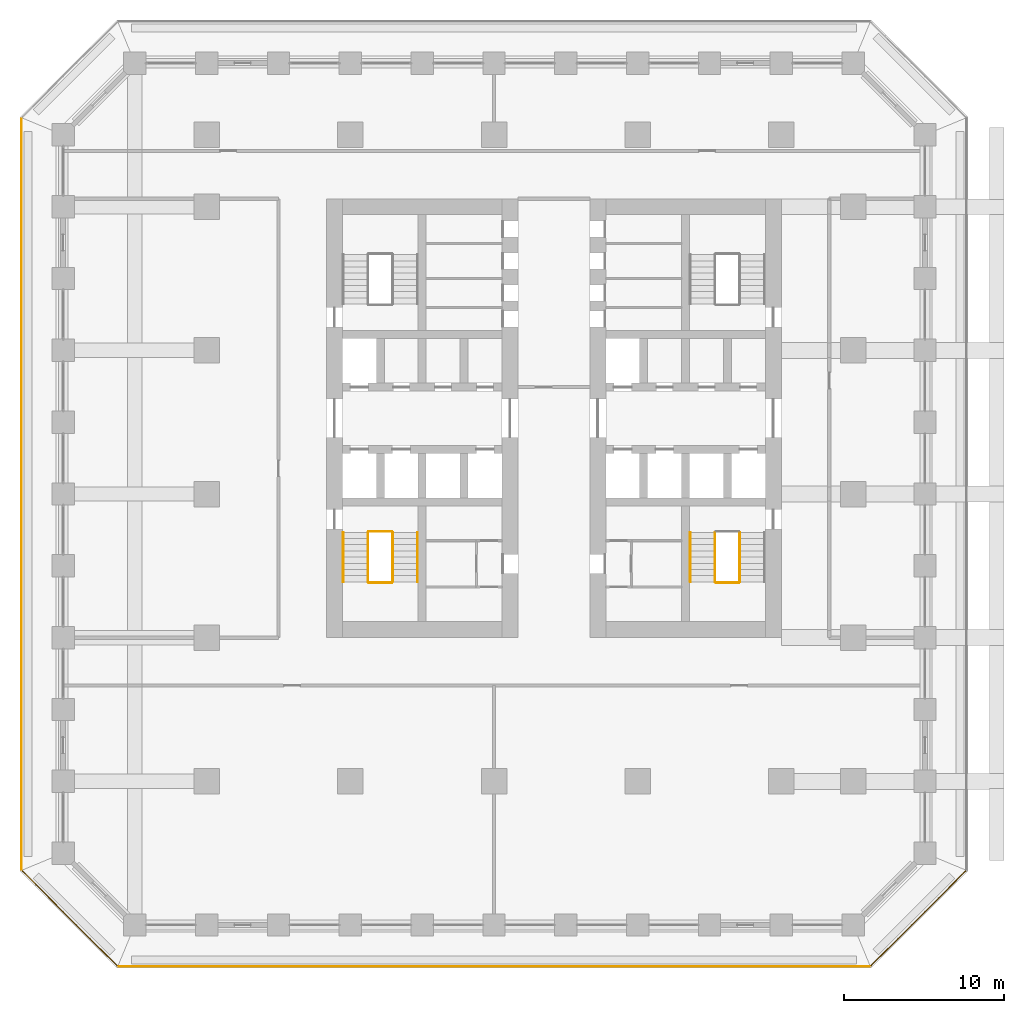
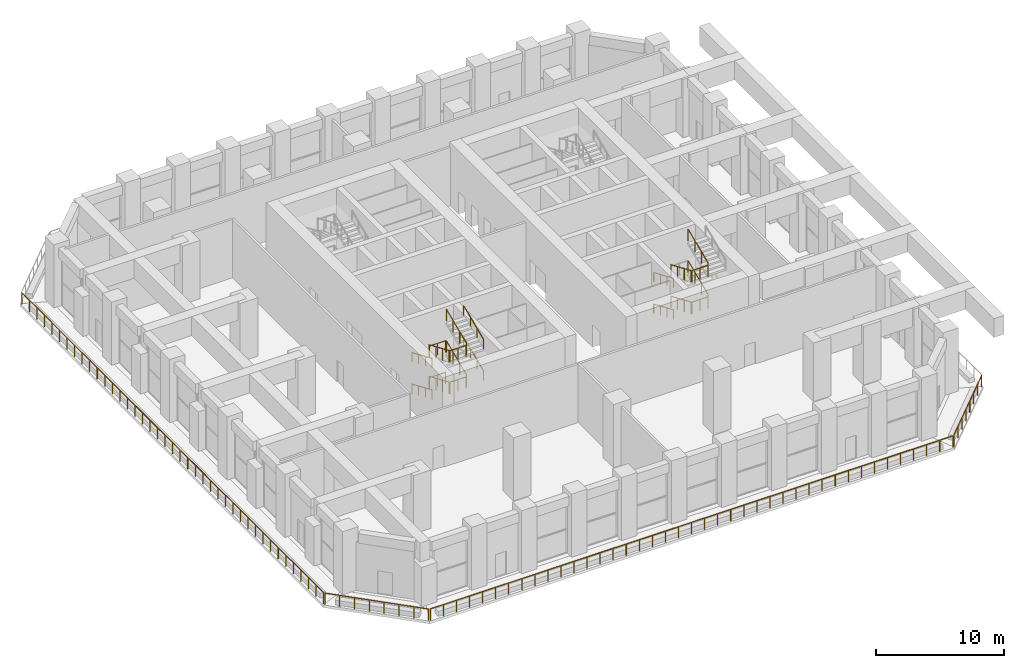
# One storey, part 18 of 21: 24 railings.
"""IFC4 building model written with IfcOpenShell, lengths in metres."""

from ifc_helpers import new_model, si_unit, direction, frame, origin, origin_2d, place, context, subcontext, project, spatial, circle, extrude, material, type_object, element, save


model = new_model("IFC4")

# Units and contexts
model_context = context("Model", 3, precision=1e-05, world=origin(), true_north=direction((0.0, 1.0)))
body_context = subcontext(model_context, "Body", "Model", "MODEL_VIEW")
ifc_project = project(units=[si_unit("LENGTHUNIT", "METRE"), si_unit("AREAUNIT", "SQUARE_METRE"), si_unit("VOLUMEUNIT", "CUBIC_METRE"), si_unit("PLANEANGLEUNIT", "RADIAN"), si_unit("MASSUNIT", "GRAM", prefix="KILO")], contexts=[model_context])

# Site, building, storey
site_placement = place(None, origin())
site = spatial("IfcSite", under=ifc_project, at=site_placement, CompositionType="ELEMENT")
building_placement = place(site_placement, origin())
building = spatial("IfcBuilding", under=site, at=building_placement, Name="Corbel Stack Research Tower", CompositionType="ELEMENT")
storey_placement = place(building_placement, frame((0.0, 0.0, 35.89990234375)))
storey = spatial("IfcBuildingStorey", under=building, at=storey_placement, Name="L08", CompositionType="ELEMENT", Elevation=35.89990234375)

# Railings
ifc_material_1 = material(Name="Steel S355", Category="steel")
railing_type_1 = type_object("IfcRailingType", Name="Stair guard 1100", PredefinedType="GUARDRAIL", material=ifc_material_1)
railing_1_placement = place(storey_placement, frame((-7.89990234375, -2.39990234375, 0.166748046875)))
element("IfcRailing", 1, at=railing_1_placement, inside=storey, type_object=railing_type_1, Name="L08 ST-W1 stair guard 1", PredefinedType="GUARDRAIL", context=body_context, shape_type="SweptSolid", body=[
    extrude(circle(Radius=0.02392578125, at=origin_2d()), frame((0.0, 0.0, 1.076171875), z_axis=(0.0, -0.918826996994, 0.394660549834), x_axis=(1.0, 0.0, 0.0)), (0.0, 0.0, 1.0), 3.378173828125),
    extrude(circle(Radius=0.02099609375, at=origin_2d()), origin(), (0.0, 0.0, 1.0), 1.052001953125),
    extrude(circle(Radius=0.02099609375, at=origin_2d()), frame((0.0, -1.03466796875, 0.4443359375)), (0.0, 0.0, 1.0), 1.052001953125),
    extrude(circle(Radius=0.02099609375, at=origin_2d()), frame((0.0, -2.0693359375, 0.888916015625)), (0.0, 0.0, 1.0), 1.052001953125),
    extrude(circle(Radius=0.02099609375, at=origin_2d()), frame((0.0, -3.10400390625, 1.333251953125)), (0.0, 0.0, 1.0), 1.052001953125),
])
railing_2_placement = place(storey_placement, frame((-7.85009765625, -5.553955078125, 1.5)))
element("IfcRailing", 2, at=railing_2_placement, inside=storey, type_object=railing_type_1, Name="L08 ST-W1 stair guard 2", PredefinedType="GUARDRAIL", context=body_context, shape_type="SweptSolid", body=[
    extrude(circle(Radius=0.02392578125, at=origin_2d()), frame((0.0, 0.0, 1.076171875), z_axis=(1.0, 0.0, 0.0), x_axis=(0.0, 1.0, 0.0)), (0.0, 0.0, 1.0), 1.4501953125),
    extrude(circle(Radius=0.02099609375, at=origin_2d()), origin(), (0.0, 0.0, 1.0), 1.052001953125),
    extrude(circle(Radius=0.02099609375, at=origin_2d()), frame((0.72509765625, 0.0, 0.0)), (0.0, 0.0, 1.0), 1.052001953125),
    extrude(circle(Radius=0.02099609375, at=origin_2d()), frame((1.4501953125, 0.0, 0.0)), (0.0, 0.0, 1.0), 1.052001953125),
])
railing_3_placement = place(storey_placement, frame((-6.35009765625, -5.50390625, 1.666748046875)))
element("IfcRailing", 3, at=railing_3_placement, inside=storey, type_object=railing_type_1, Name="L08 ST-W1 stair guard 3", PredefinedType="GUARDRAIL", context=body_context, shape_type="SweptSolid", body=[
    extrude(circle(Radius=0.02392578125, at=origin_2d()), frame((0.0, 0.0, 1.076171875), z_axis=(0.0, 0.918826996994, 0.394660549834), x_axis=(-1.0, 0.0, 0.0)), (0.0, 0.0, 1.0), 3.378173828125),
    extrude(circle(Radius=0.02099609375, at=origin_2d()), origin(), (0.0, 0.0, 1.0), 1.052001953125),
    extrude(circle(Radius=0.02099609375, at=origin_2d()), frame((0.0, 1.03466796875, 0.4443359375)), (0.0, 0.0, 1.0), 1.052001953125),
    extrude(circle(Radius=0.02099609375, at=origin_2d()), frame((0.0, 2.0693359375, 0.888916015625)), (0.0, 0.0, 1.0), 1.052001953125),
    extrude(circle(Radius=0.02099609375, at=origin_2d()), frame((0.0, 3.10400390625, 1.333251953125)), (0.0, 0.0, 1.0), 1.052001953125),
])
railing_4_placement = place(storey_placement, frame((-7.85009765625, -2.35009765625, 3.0)))
element("IfcRailing", 4, at=railing_4_placement, inside=storey, type_object=railing_type_1, Name="L08 ST-W1 stair guard 4", PredefinedType="GUARDRAIL", context=body_context, shape_type="SweptSolid", body=[
    extrude(circle(Radius=0.02392578125, at=origin_2d()), frame((0.0, 0.0, 1.076171875), z_axis=(1.0, 0.0, 0.0), x_axis=(0.0, 1.0, 0.0)), (0.0, 0.0, 1.0), 1.4501953125),
    extrude(circle(Radius=0.02099609375, at=origin_2d()), origin(), (0.0, 0.0, 1.0), 1.052001953125),
    extrude(circle(Radius=0.02099609375, at=origin_2d()), frame((0.72509765625, 0.0, 0.0)), (0.0, 0.0, 1.0), 1.052001953125),
    extrude(circle(Radius=0.02099609375, at=origin_2d()), frame((1.4501953125, 0.0, 0.0)), (0.0, 0.0, 1.0), 1.052001953125),
])
railing_5_placement = place(storey_placement, frame((-7.89990234375, -2.39990234375, 3.166748046875)))
element("IfcRailing", 5, at=railing_5_placement, inside=storey, type_object=railing_type_1, Name="L08 ST-W1 stair guard 5", PredefinedType="GUARDRAIL", context=body_context, shape_type="SweptSolid", body=[
    extrude(circle(Radius=0.02392578125, at=origin_2d()), frame((0.0, 0.0, 1.076171875), z_axis=(0.0, -0.918826996994, 0.394660549834), x_axis=(1.0, 0.0, 0.0)), (0.0, 0.0, 1.0), 3.378173828125),
    extrude(circle(Radius=0.02099609375, at=origin_2d()), origin(), (0.0, 0.0, 1.0), 1.052001953125),
    extrude(circle(Radius=0.02099609375, at=origin_2d()), frame((0.0, -1.03466796875, 0.4443359375)), (0.0, 0.0, 1.0), 1.052001953125),
    extrude(circle(Radius=0.02099609375, at=origin_2d()), frame((0.0, -2.0693359375, 0.888916015625)), (0.0, 0.0, 1.0), 1.052001953125),
    extrude(circle(Radius=0.02099609375, at=origin_2d()), frame((0.0, -3.10400390625, 1.333251953125)), (0.0, 0.0, 1.0), 1.052001953125),
])
railing_6_placement = place(storey_placement, frame((-7.85009765625, -5.553955078125, 4.5)))
element("IfcRailing", 6, at=railing_6_placement, inside=storey, type_object=railing_type_1, Name="L08 ST-W1 stair guard 6", PredefinedType="GUARDRAIL", context=body_context, shape_type="SweptSolid", body=[
    extrude(circle(Radius=0.02392578125, at=origin_2d()), frame((0.0, 0.0, 1.076171875), z_axis=(1.0, 0.0, 0.0), x_axis=(0.0, 1.0, 0.0)), (0.0, 0.0, 1.0), 1.4501953125),
    extrude(circle(Radius=0.02099609375, at=origin_2d()), origin(), (0.0, 0.0, 1.0), 1.052001953125),
    extrude(circle(Radius=0.02099609375, at=origin_2d()), frame((0.72509765625, 0.0, 0.0)), (0.0, 0.0, 1.0), 1.052001953125),
    extrude(circle(Radius=0.02099609375, at=origin_2d()), frame((1.4501953125, 0.0, 0.0)), (0.0, 0.0, 1.0), 1.052001953125),
])
railing_7_placement = place(storey_placement, frame((-6.35009765625, -5.50390625, 4.666748046875)))
element("IfcRailing", 7, at=railing_7_placement, inside=storey, type_object=railing_type_1, Name="L08 ST-W1 stair guard 7", PredefinedType="GUARDRAIL", context=body_context, shape_type="SweptSolid", body=[
    extrude(circle(Radius=0.02392578125, at=origin_2d()), frame((0.0, 0.0, 1.076171875), z_axis=(0.0, 0.918826996994, 0.394660549834), x_axis=(-1.0, 0.0, 0.0)), (0.0, 0.0, 1.0), 3.378173828125),
    extrude(circle(Radius=0.02099609375, at=origin_2d()), origin(), (0.0, 0.0, 1.0), 1.052001953125),
    extrude(circle(Radius=0.02099609375, at=origin_2d()), frame((0.0, 1.03466796875, 0.4443359375)), (0.0, 0.0, 1.0), 1.052001953125),
    extrude(circle(Radius=0.02099609375, at=origin_2d()), frame((0.0, 2.0693359375, 0.888916015625)), (0.0, 0.0, 1.0), 1.052001953125),
    extrude(circle(Radius=0.02099609375, at=origin_2d()), frame((0.0, 3.10400390625, 1.333251953125)), (0.0, 0.0, 1.0), 1.052001953125),
])
railing_8_placement = place(storey_placement, frame((-7.85009765625, -2.35009765625, 0.0)))
element("IfcRailing", 8, at=railing_8_placement, inside=storey, type_object=railing_type_1, Name="L08 ST-W1 stair guard 8", PredefinedType="GUARDRAIL", context=body_context, shape_type="SweptSolid", body=[
    extrude(circle(Radius=0.02392578125, at=origin_2d()), frame((0.0, 0.0, 1.076171875), z_axis=(1.0, 0.0, 0.0), x_axis=(0.0, 1.0, 0.0)), (0.0, 0.0, 1.0), 1.4501953125),
    extrude(circle(Radius=0.02099609375, at=origin_2d()), origin(), (0.0, 0.0, 1.0), 1.052001953125),
    extrude(circle(Radius=0.02099609375, at=origin_2d()), frame((0.72509765625, 0.0, 0.0)), (0.0, 0.0, 1.0), 1.052001953125),
    extrude(circle(Radius=0.02099609375, at=origin_2d()), frame((1.4501953125, 0.0, 0.0)), (0.0, 0.0, 1.0), 1.052001953125),
])
railing_9_placement = place(storey_placement, frame((13.85009765625, -2.39990234375, 0.166748046875)))
element("IfcRailing", 9, at=railing_9_placement, inside=storey, type_object=railing_type_1, Name="L08 ST-E1 stair guard 1", PredefinedType="GUARDRAIL", context=body_context, shape_type="SweptSolid", body=[
    extrude(circle(Radius=0.02392578125, at=origin_2d()), frame((0.0, 0.0, 1.076171875), z_axis=(0.0, -0.918826996994, 0.394660549834), x_axis=(1.0, 0.0, 0.0)), (0.0, 0.0, 1.0), 3.378173828125),
    extrude(circle(Radius=0.02099609375, at=origin_2d()), origin(), (0.0, 0.0, 1.0), 1.052001953125),
    extrude(circle(Radius=0.02099609375, at=origin_2d()), frame((0.0, -1.03466796875, 0.4443359375)), (0.0, 0.0, 1.0), 1.052001953125),
    extrude(circle(Radius=0.02099609375, at=origin_2d()), frame((0.0, -2.0693359375, 0.888916015625)), (0.0, 0.0, 1.0), 1.052001953125),
    extrude(circle(Radius=0.02099609375, at=origin_2d()), frame((0.0, -3.10400390625, 1.333251953125)), (0.0, 0.0, 1.0), 1.052001953125),
])
railing_10_placement = place(storey_placement, frame((13.89990234375, -5.553955078125, 1.5)))
element("IfcRailing", 10, at=railing_10_placement, inside=storey, type_object=railing_type_1, Name="L08 ST-E1 stair guard 2", PredefinedType="GUARDRAIL", context=body_context, shape_type="SweptSolid", body=[
    extrude(circle(Radius=0.02392578125, at=origin_2d()), frame((0.0, 0.0, 1.076171875), z_axis=(1.0, 0.0, 0.0), x_axis=(0.0, 1.0, 0.0)), (0.0, 0.0, 1.0), 1.4501953125),
    extrude(circle(Radius=0.02099609375, at=origin_2d()), origin(), (0.0, 0.0, 1.0), 1.052001953125),
    extrude(circle(Radius=0.02099609375, at=origin_2d()), frame((0.72509765625, 0.0, 0.0)), (0.0, 0.0, 1.0), 1.052001953125),
    extrude(circle(Radius=0.02099609375, at=origin_2d()), frame((1.4501953125, 0.0, 0.0)), (0.0, 0.0, 1.0), 1.052001953125),
])
railing_11_placement = place(storey_placement, frame((15.39990234375, -5.50390625, 1.666748046875)))
element("IfcRailing", 11, at=railing_11_placement, inside=storey, type_object=railing_type_1, Name="L08 ST-E1 stair guard 3", PredefinedType="GUARDRAIL", context=body_context, shape_type="SweptSolid", body=[
    extrude(circle(Radius=0.02392578125, at=origin_2d()), frame((0.0, 0.0, 1.076171875), z_axis=(0.0, 0.918826996994, 0.394660549834), x_axis=(-1.0, 0.0, 0.0)), (0.0, 0.0, 1.0), 3.378173828125),
    extrude(circle(Radius=0.02099609375, at=origin_2d()), origin(), (0.0, 0.0, 1.0), 1.052001953125),
    extrude(circle(Radius=0.02099609375, at=origin_2d()), frame((0.0, 1.03466796875, 0.4443359375)), (0.0, 0.0, 1.0), 1.052001953125),
    extrude(circle(Radius=0.02099609375, at=origin_2d()), frame((0.0, 2.0693359375, 0.888916015625)), (0.0, 0.0, 1.0), 1.052001953125),
    extrude(circle(Radius=0.02099609375, at=origin_2d()), frame((0.0, 3.10400390625, 1.333251953125)), (0.0, 0.0, 1.0), 1.052001953125),
])
railing_12_placement = place(storey_placement, frame((13.85009765625, -2.39990234375, 3.166748046875)))
element("IfcRailing", 12, at=railing_12_placement, inside=storey, type_object=railing_type_1, Name="L08 ST-E1 stair guard 5", PredefinedType="GUARDRAIL", context=body_context, shape_type="SweptSolid", body=[
    extrude(circle(Radius=0.02392578125, at=origin_2d()), frame((0.0, 0.0, 1.076171875), z_axis=(0.0, -0.918826996994, 0.394660549834), x_axis=(1.0, 0.0, 0.0)), (0.0, 0.0, 1.0), 3.378173828125),
    extrude(circle(Radius=0.02099609375, at=origin_2d()), origin(), (0.0, 0.0, 1.0), 1.052001953125),
    extrude(circle(Radius=0.02099609375, at=origin_2d()), frame((0.0, -1.03466796875, 0.4443359375)), (0.0, 0.0, 1.0), 1.052001953125),
    extrude(circle(Radius=0.02099609375, at=origin_2d()), frame((0.0, -2.0693359375, 0.888916015625)), (0.0, 0.0, 1.0), 1.052001953125),
    extrude(circle(Radius=0.02099609375, at=origin_2d()), frame((0.0, -3.10400390625, 1.333251953125)), (0.0, 0.0, 1.0), 1.052001953125),
])
railing_13_placement = place(storey_placement, frame((13.89990234375, -5.553955078125, 4.5)))
element("IfcRailing", 13, at=railing_13_placement, inside=storey, type_object=railing_type_1, Name="L08 ST-E1 stair guard 6", PredefinedType="GUARDRAIL", context=body_context, shape_type="SweptSolid", body=[
    extrude(circle(Radius=0.02392578125, at=origin_2d()), frame((0.0, 0.0, 1.076171875), z_axis=(1.0, 0.0, 0.0), x_axis=(0.0, 1.0, 0.0)), (0.0, 0.0, 1.0), 1.4501953125),
    extrude(circle(Radius=0.02099609375, at=origin_2d()), origin(), (0.0, 0.0, 1.0), 1.052001953125),
    extrude(circle(Radius=0.02099609375, at=origin_2d()), frame((0.72509765625, 0.0, 0.0)), (0.0, 0.0, 1.0), 1.052001953125),
    extrude(circle(Radius=0.02099609375, at=origin_2d()), frame((1.4501953125, 0.0, 0.0)), (0.0, 0.0, 1.0), 1.052001953125),
])
railing_14_placement = place(storey_placement, frame((15.39990234375, -5.50390625, 4.666748046875)))
element("IfcRailing", 14, at=railing_14_placement, inside=storey, type_object=railing_type_1, Name="L08 ST-E1 stair guard 7", PredefinedType="GUARDRAIL", context=body_context, shape_type="SweptSolid", body=[
    extrude(circle(Radius=0.02392578125, at=origin_2d()), frame((0.0, 0.0, 1.076171875), z_axis=(0.0, 0.918826996994, 0.394660549834), x_axis=(-1.0, 0.0, 0.0)), (0.0, 0.0, 1.0), 3.378173828125),
    extrude(circle(Radius=0.02099609375, at=origin_2d()), origin(), (0.0, 0.0, 1.0), 1.052001953125),
    extrude(circle(Radius=0.02099609375, at=origin_2d()), frame((0.0, 1.03466796875, 0.4443359375)), (0.0, 0.0, 1.0), 1.052001953125),
    extrude(circle(Radius=0.02099609375, at=origin_2d()), frame((0.0, 2.0693359375, 0.888916015625)), (0.0, 0.0, 1.0), 1.052001953125),
    extrude(circle(Radius=0.02099609375, at=origin_2d()), frame((0.0, 3.10400390625, 1.333251953125)), (0.0, 0.0, 1.0), 1.052001953125),
])
ifc_material_2 = material(Name="Steel S355", Category="steel")
railing_type_2 = type_object("IfcRailingType", Name="Stair handrail 900", PredefinedType="HANDRAIL", material=ifc_material_2)
railing_15_placement = place(storey_placement, frame((-9.449951171875, -2.39990234375, 0.166748046875)))
element("IfcRailing", 15, at=railing_15_placement, inside=storey, type_object=railing_type_2, Name="L08 ST-W1 stair handrail 1", PredefinedType="HANDRAIL", context=body_context, shape_type="SweptSolid", body=[
    extrude(circle(Radius=0.02392578125, at=origin_2d()), frame((0.0, 0.0, 0.8759765625), z_axis=(0.0, -0.918826996994, 0.394660549834), x_axis=(1.0, 0.0, 0.0)), (0.0, 0.0, 1.0), 3.378173828125),
    extrude(circle(Radius=0.02099609375, at=origin_2d()), origin(), (0.0, 0.0, 1.0), 0.851806640625),
    extrude(circle(Radius=0.02099609375, at=origin_2d()), frame((0.0, -1.03466796875, 0.4443359375)), (0.0, 0.0, 1.0), 0.851806640625),
    extrude(circle(Radius=0.02099609375, at=origin_2d()), frame((0.0, -2.0693359375, 0.888916015625)), (0.0, 0.0, 1.0), 0.851806640625),
    extrude(circle(Radius=0.02099609375, at=origin_2d()), frame((0.0, -3.10400390625, 1.333251953125)), (0.0, 0.0, 1.0), 0.851806640625),
])
railing_16_placement = place(storey_placement, frame((-4.800048828125, -5.50390625, 1.666748046875)))
element("IfcRailing", 16, at=railing_16_placement, inside=storey, type_object=railing_type_2, Name="L08 ST-W1 stair handrail 2", PredefinedType="HANDRAIL", context=body_context, shape_type="SweptSolid", body=[
    extrude(circle(Radius=0.02392578125, at=origin_2d()), frame((0.0, 0.0, 0.8759765625), z_axis=(0.0, 0.918826996994, 0.394660549834), x_axis=(-1.0, 0.0, 0.0)), (0.0, 0.0, 1.0), 3.378173828125),
    extrude(circle(Radius=0.02099609375, at=origin_2d()), origin(), (0.0, 0.0, 1.0), 0.851806640625),
    extrude(circle(Radius=0.02099609375, at=origin_2d()), frame((0.0, 1.03466796875, 0.4443359375)), (0.0, 0.0, 1.0), 0.851806640625),
    extrude(circle(Radius=0.02099609375, at=origin_2d()), frame((0.0, 2.0693359375, 0.888916015625)), (0.0, 0.0, 1.0), 0.851806640625),
    extrude(circle(Radius=0.02099609375, at=origin_2d()), frame((0.0, 3.10400390625, 1.333251953125)), (0.0, 0.0, 1.0), 0.851806640625),
])
railing_17_placement = place(storey_placement, frame((-9.449951171875, -2.39990234375, 3.166748046875)))
element("IfcRailing", 17, at=railing_17_placement, inside=storey, type_object=railing_type_2, Name="L08 ST-W1 stair handrail 3", PredefinedType="HANDRAIL", context=body_context, shape_type="SweptSolid", body=[
    extrude(circle(Radius=0.02392578125, at=origin_2d()), frame((0.0, 0.0, 0.8759765625), z_axis=(0.0, -0.918826996994, 0.394660549834), x_axis=(1.0, 0.0, 0.0)), (0.0, 0.0, 1.0), 3.378173828125),
    extrude(circle(Radius=0.02099609375, at=origin_2d()), origin(), (0.0, 0.0, 1.0), 0.851806640625),
    extrude(circle(Radius=0.02099609375, at=origin_2d()), frame((0.0, -1.03466796875, 0.4443359375)), (0.0, 0.0, 1.0), 0.851806640625),
    extrude(circle(Radius=0.02099609375, at=origin_2d()), frame((0.0, -2.0693359375, 0.888916015625)), (0.0, 0.0, 1.0), 0.851806640625),
    extrude(circle(Radius=0.02099609375, at=origin_2d()), frame((0.0, -3.10400390625, 1.333251953125)), (0.0, 0.0, 1.0), 0.851806640625),
])
railing_18_placement = place(storey_placement, frame((-4.800048828125, -5.50390625, 4.666748046875)))
element("IfcRailing", 18, at=railing_18_placement, inside=storey, type_object=railing_type_2, Name="L08 ST-W1 stair handrail 4", PredefinedType="HANDRAIL", context=body_context, shape_type="SweptSolid", body=[
    extrude(circle(Radius=0.02392578125, at=origin_2d()), frame((0.0, 0.0, 0.8759765625), z_axis=(0.0, 0.918826996994, 0.394660549834), x_axis=(-1.0, 0.0, 0.0)), (0.0, 0.0, 1.0), 3.378173828125),
    extrude(circle(Radius=0.02099609375, at=origin_2d()), origin(), (0.0, 0.0, 1.0), 0.851806640625),
    extrude(circle(Radius=0.02099609375, at=origin_2d()), frame((0.0, 1.03466796875, 0.4443359375)), (0.0, 0.0, 1.0), 0.851806640625),
    extrude(circle(Radius=0.02099609375, at=origin_2d()), frame((0.0, 2.0693359375, 0.888916015625)), (0.0, 0.0, 1.0), 0.851806640625),
    extrude(circle(Radius=0.02099609375, at=origin_2d()), frame((0.0, 3.10400390625, 1.333251953125)), (0.0, 0.0, 1.0), 0.851806640625),
])
for number, where, name in (
    (19, (12.300048828125, -2.39990234375, 0.166748046875), "L08 ST-E1 stair handrail 1"),
    (20, (12.300048828125, -2.39990234375, 3.166748046875), "L08 ST-E1 stair handrail 3"),
):
    element("IfcRailing", number, at=place(storey_placement, frame(where)), inside=storey, type_object=railing_type_2, Name=name, PredefinedType="HANDRAIL", context=body_context, shape_type="SweptSolid", body=[
        extrude(circle(Radius=0.02392578125, at=origin_2d()), frame((0.0, 0.0, 0.8759765625), z_axis=(0.0, -0.918826996994, 0.394660549834), x_axis=(1.0, 0.0, 0.0)), (0.0, 0.0, 1.0), 3.378173828125),
        extrude(circle(Radius=0.02099609375, at=origin_2d()), origin(), (0.0, 0.0, 1.0), 0.851806640625),
        extrude(circle(Radius=0.02099609375, at=origin_2d()), frame((0.0, -1.03466796875, 0.4443359375)), (0.0, 0.0, 1.0), 0.851806640625),
        extrude(circle(Radius=0.02099609375, at=origin_2d()), frame((0.0, -2.0693359375, 0.888916015625)), (0.0, 0.0, 1.0), 0.851806640625),
        extrude(circle(Radius=0.02099609375, at=origin_2d()), frame((0.0, -3.10400390625, 1.333251953125)), (0.0, 0.0, 1.0), 0.851806640625),
    ])
ifc_material_3 = material(Name="Powder-coated steel guard", Category="steel")
railing_type_3 = type_object("IfcRailingType", Name="Steel and glass guard 1100", PredefinedType="GUARDRAIL", material=ifc_material_3)
railing_19_placement = place(storey_placement, frame((-23.50537109375, -29.60009765625, 0.0)))
element("IfcRailing", 21, at=railing_19_placement, inside=storey, type_object=railing_type_3, Name="Loggia guard L08 S", PredefinedType="GUARDRAIL", context=body_context, shape_type="SweptSolid", body=[
    extrude(circle(Radius=0.02392578125, at=origin_2d()), frame((0.0, 0.0, 1.076171875), z_axis=(1.0, 0.0, 0.0), x_axis=(0.0, 1.0, 0.0)), (0.0, 0.0, 1.0), 47.0107421875),
    extrude(circle(Radius=0.02099609375, at=origin_2d()), origin(), (0.0, 0.0, 1.0), 1.052001953125),
    extrude(circle(Radius=0.02099609375, at=origin_2d()), frame((1.17529296875, 0.0, 0.0)), (0.0, 0.0, 1.0), 1.052001953125),
    extrude(circle(Radius=0.02099609375, at=origin_2d()), frame((2.3505859375, 0.0, 0.0)), (0.0, 0.0, 1.0), 1.052001953125),
    extrude(circle(Radius=0.02099609375, at=origin_2d()), frame((3.52587890625, 0.0, 0.0)), (0.0, 0.0, 1.0), 1.052001953125),
    extrude(circle(Radius=0.02099609375, at=origin_2d()), frame((4.701171875, 0.0, 0.0)), (0.0, 0.0, 1.0), 1.052001953125),
    extrude(circle(Radius=0.02099609375, at=origin_2d()), frame((5.87646484375, 0.0, 0.0)), (0.0, 0.0, 1.0), 1.052001953125),
    extrude(circle(Radius=0.02099609375, at=origin_2d()), frame((7.051513671875, 0.0, 0.0)), (0.0, 0.0, 1.0), 1.052001953125),
    extrude(circle(Radius=0.02099609375, at=origin_2d()), frame((8.226806640625, 0.0, 0.0)), (0.0, 0.0, 1.0), 1.052001953125),
    extrude(circle(Radius=0.02099609375, at=origin_2d()), frame((9.402099609375, 0.0, 0.0)), (0.0, 0.0, 1.0), 1.052001953125),
    extrude(circle(Radius=0.02099609375, at=origin_2d()), frame((10.577392578125, 0.0, 0.0)), (0.0, 0.0, 1.0), 1.052001953125),
    extrude(circle(Radius=0.02099609375, at=origin_2d()), frame((11.752685546875, 0.0, 0.0)), (0.0, 0.0, 1.0), 1.052001953125),
    extrude(circle(Radius=0.02099609375, at=origin_2d()), frame((12.927978515625, 0.0, 0.0)), (0.0, 0.0, 1.0), 1.052001953125),
    extrude(circle(Radius=0.02099609375, at=origin_2d()), frame((14.103271484375, 0.0, 0.0)), (0.0, 0.0, 1.0), 1.052001953125),
    extrude(circle(Radius=0.02099609375, at=origin_2d()), frame((15.278564453125, 0.0, 0.0)), (0.0, 0.0, 1.0), 1.052001953125),
    extrude(circle(Radius=0.02099609375, at=origin_2d()), frame((16.453857421875, 0.0, 0.0)), (0.0, 0.0, 1.0), 1.052001953125),
    extrude(circle(Radius=0.02099609375, at=origin_2d()), frame((17.62890625, 0.0, 0.0)), (0.0, 0.0, 1.0), 1.052001953125),
    extrude(circle(Radius=0.02099609375, at=origin_2d()), frame((18.80419921875, 0.0, 0.0)), (0.0, 0.0, 1.0), 1.052001953125),
    extrude(circle(Radius=0.02099609375, at=origin_2d()), frame((19.9794921875, 0.0, 0.0)), (0.0, 0.0, 1.0), 1.052001953125),
    extrude(circle(Radius=0.02099609375, at=origin_2d()), frame((21.15478515625, 0.0, 0.0)), (0.0, 0.0, 1.0), 1.052001953125),
    extrude(circle(Radius=0.02099609375, at=origin_2d()), frame((22.330078125, 0.0, 0.0)), (0.0, 0.0, 1.0), 1.052001953125),
    extrude(circle(Radius=0.02099609375, at=origin_2d()), frame((23.50537109375, 0.0, 0.0)), (0.0, 0.0, 1.0), 1.052001953125),
    extrude(circle(Radius=0.02099609375, at=origin_2d()), frame((24.6806640625, 0.0, 0.0)), (0.0, 0.0, 1.0), 1.052001953125),
    extrude(circle(Radius=0.02099609375, at=origin_2d()), frame((25.85595703125, 0.0, 0.0)), (0.0, 0.0, 1.0), 1.052001953125),
    extrude(circle(Radius=0.02099609375, at=origin_2d()), frame((27.03125, 0.0, 0.0)), (0.0, 0.0, 1.0), 1.052001953125),
    extrude(circle(Radius=0.02099609375, at=origin_2d()), frame((28.20654296875, 0.0, 0.0)), (0.0, 0.0, 1.0), 1.052001953125),
    extrude(circle(Radius=0.02099609375, at=origin_2d()), frame((29.3818359375, 0.0, 0.0)), (0.0, 0.0, 1.0), 1.052001953125),
    extrude(circle(Radius=0.02099609375, at=origin_2d()), frame((30.556884765625, 0.0, 0.0)), (0.0, 0.0, 1.0), 1.052001953125),
    extrude(circle(Radius=0.02099609375, at=origin_2d()), frame((31.732177734375, 0.0, 0.0)), (0.0, 0.0, 1.0), 1.052001953125),
    extrude(circle(Radius=0.02099609375, at=origin_2d()), frame((32.907470703125, 0.0, 0.0)), (0.0, 0.0, 1.0), 1.052001953125),
    extrude(circle(Radius=0.02099609375, at=origin_2d()), frame((34.082763671875, 0.0, 0.0)), (0.0, 0.0, 1.0), 1.052001953125),
    extrude(circle(Radius=0.02099609375, at=origin_2d()), frame((35.258056640625, 0.0, 0.0)), (0.0, 0.0, 1.0), 1.052001953125),
    extrude(circle(Radius=0.02099609375, at=origin_2d()), frame((36.433349609375, 0.0, 0.0)), (0.0, 0.0, 1.0), 1.052001953125),
    extrude(circle(Radius=0.02099609375, at=origin_2d()), frame((37.608642578125, 0.0, 0.0)), (0.0, 0.0, 1.0), 1.052001953125),
    extrude(circle(Radius=0.02099609375, at=origin_2d()), frame((38.783935546875, 0.0, 0.0)), (0.0, 0.0, 1.0), 1.052001953125),
    extrude(circle(Radius=0.02099609375, at=origin_2d()), frame((39.959228515625, 0.0, 0.0)), (0.0, 0.0, 1.0), 1.052001953125),
    extrude(circle(Radius=0.02099609375, at=origin_2d()), frame((41.13427734375, 0.0, 0.0)), (0.0, 0.0, 1.0), 1.052001953125),
    extrude(circle(Radius=0.02099609375, at=origin_2d()), frame((42.3095703125, 0.0, 0.0)), (0.0, 0.0, 1.0), 1.052001953125),
    extrude(circle(Radius=0.02099609375, at=origin_2d()), frame((43.48486328125, 0.0, 0.0)), (0.0, 0.0, 1.0), 1.052001953125),
    extrude(circle(Radius=0.02099609375, at=origin_2d()), frame((44.66015625, 0.0, 0.0)), (0.0, 0.0, 1.0), 1.052001953125),
    extrude(circle(Radius=0.02099609375, at=origin_2d()), frame((45.83544921875, 0.0, 0.0)), (0.0, 0.0, 1.0), 1.052001953125),
    extrude(circle(Radius=0.02099609375, at=origin_2d()), frame((47.0107421875, 0.0, 0.0)), (0.0, 0.0, 1.0), 1.052001953125),
])
railing_20_placement = place(storey_placement, frame((23.627685546875, -29.54931640625, 0.0)))
element("IfcRailing", 22, at=railing_20_placement, inside=storey, type_object=railing_type_3, Name="Loggia guard L08 SE", PredefinedType="GUARDRAIL", context=body_context, shape_type="SweptSolid", body=[
    extrude(circle(Radius=0.02392578125, at=origin_2d()), frame((0.0, 0.0, 1.076171875), z_axis=(0.707106781187, 0.707106781187, 0.0), x_axis=(-0.707106781187, 0.707106781187, 0.0)), (0.0, 0.0, 1.0), 8.37451171875),
    extrude(circle(Radius=0.02099609375, at=origin_2d()), origin(), (0.0, 0.0, 1.0), 1.052001953125),
    extrude(circle(Radius=0.02099609375, at=origin_2d()), frame((0.845947265625, 0.845947265625, 0.0)), (0.0, 0.0, 1.0), 1.052001953125),
    extrude(circle(Radius=0.02099609375, at=origin_2d()), frame((1.69189453125, 1.69189453125, 0.0)), (0.0, 0.0, 1.0), 1.052001953125),
    extrude(circle(Radius=0.02099609375, at=origin_2d()), frame((2.537841796875, 2.537841796875, 0.0)), (0.0, 0.0, 1.0), 1.052001953125),
    extrude(circle(Radius=0.02099609375, at=origin_2d()), frame((3.3837890625, 3.3837890625, 0.0)), (0.0, 0.0, 1.0), 1.052001953125),
    extrude(circle(Radius=0.02099609375, at=origin_2d()), frame((4.229736328125, 4.229736328125, 0.0)), (0.0, 0.0, 1.0), 1.052001953125),
    extrude(circle(Radius=0.02099609375, at=origin_2d()), frame((5.07568359375, 5.07568359375, 0.0)), (0.0, 0.0, 1.0), 1.052001953125),
    extrude(circle(Radius=0.02099609375, at=origin_2d()), frame((5.921630859375, 5.921630859375, 0.0)), (0.0, 0.0, 1.0), 1.052001953125),
])
railing_21_placement = place(storey_placement, frame((-29.60009765625, 23.50537109375, 0.0)))
element("IfcRailing", 23, at=railing_21_placement, inside=storey, type_object=railing_type_3, Name="Loggia guard L08 W", PredefinedType="GUARDRAIL", context=body_context, shape_type="SweptSolid", body=[
    extrude(circle(Radius=0.02392578125, at=origin_2d()), frame((0.0, 0.0, 1.076171875), z_axis=(0.0, -1.0, 0.0), x_axis=(1.0, 0.0, 0.0)), (0.0, 0.0, 1.0), 47.0107421875),
    extrude(circle(Radius=0.02099609375, at=origin_2d()), origin(), (0.0, 0.0, 1.0), 1.052001953125),
    extrude(circle(Radius=0.02099609375, at=origin_2d()), frame((0.0, -1.17529296875, 0.0)), (0.0, 0.0, 1.0), 1.052001953125),
    extrude(circle(Radius=0.02099609375, at=origin_2d()), frame((0.0, -2.3505859375, 0.0)), (0.0, 0.0, 1.0), 1.052001953125),
    extrude(circle(Radius=0.02099609375, at=origin_2d()), frame((0.0, -3.52587890625, 0.0)), (0.0, 0.0, 1.0), 1.052001953125),
    extrude(circle(Radius=0.02099609375, at=origin_2d()), frame((0.0, -4.701171875, 0.0)), (0.0, 0.0, 1.0), 1.052001953125),
    extrude(circle(Radius=0.02099609375, at=origin_2d()), frame((0.0, -5.87646484375, 0.0)), (0.0, 0.0, 1.0), 1.052001953125),
    extrude(circle(Radius=0.02099609375, at=origin_2d()), frame((0.0, -7.051513671875, 0.0)), (0.0, 0.0, 1.0), 1.052001953125),
    extrude(circle(Radius=0.02099609375, at=origin_2d()), frame((0.0, -8.226806640625, 0.0)), (0.0, 0.0, 1.0), 1.052001953125),
    extrude(circle(Radius=0.02099609375, at=origin_2d()), frame((0.0, -9.402099609375, 0.0)), (0.0, 0.0, 1.0), 1.052001953125),
    extrude(circle(Radius=0.02099609375, at=origin_2d()), frame((0.0, -10.577392578125, 0.0)), (0.0, 0.0, 1.0), 1.052001953125),
    extrude(circle(Radius=0.02099609375, at=origin_2d()), frame((0.0, -11.752685546875, 0.0)), (0.0, 0.0, 1.0), 1.052001953125),
    extrude(circle(Radius=0.02099609375, at=origin_2d()), frame((0.0, -12.927978515625, 0.0)), (0.0, 0.0, 1.0), 1.052001953125),
    extrude(circle(Radius=0.02099609375, at=origin_2d()), frame((0.0, -14.103271484375, 0.0)), (0.0, 0.0, 1.0), 1.052001953125),
    extrude(circle(Radius=0.02099609375, at=origin_2d()), frame((0.0, -15.278564453125, 0.0)), (0.0, 0.0, 1.0), 1.052001953125),
    extrude(circle(Radius=0.02099609375, at=origin_2d()), frame((0.0, -16.453857421875, 0.0)), (0.0, 0.0, 1.0), 1.052001953125),
    extrude(circle(Radius=0.02099609375, at=origin_2d()), frame((0.0, -17.62890625, 0.0)), (0.0, 0.0, 1.0), 1.052001953125),
    extrude(circle(Radius=0.02099609375, at=origin_2d()), frame((0.0, -18.80419921875, 0.0)), (0.0, 0.0, 1.0), 1.052001953125),
    extrude(circle(Radius=0.02099609375, at=origin_2d()), frame((0.0, -19.9794921875, 0.0)), (0.0, 0.0, 1.0), 1.052001953125),
    extrude(circle(Radius=0.02099609375, at=origin_2d()), frame((0.0, -21.15478515625, 0.0)), (0.0, 0.0, 1.0), 1.052001953125),
    extrude(circle(Radius=0.02099609375, at=origin_2d()), frame((0.0, -22.330078125, 0.0)), (0.0, 0.0, 1.0), 1.052001953125),
    extrude(circle(Radius=0.02099609375, at=origin_2d()), frame((0.0, -23.50537109375, 0.0)), (0.0, 0.0, 1.0), 1.052001953125),
    extrude(circle(Radius=0.02099609375, at=origin_2d()), frame((0.0, -24.6806640625, 0.0)), (0.0, 0.0, 1.0), 1.052001953125),
    extrude(circle(Radius=0.02099609375, at=origin_2d()), frame((0.0, -25.85595703125, 0.0)), (0.0, 0.0, 1.0), 1.052001953125),
    extrude(circle(Radius=0.02099609375, at=origin_2d()), frame((0.0, -27.03125, 0.0)), (0.0, 0.0, 1.0), 1.052001953125),
    extrude(circle(Radius=0.02099609375, at=origin_2d()), frame((0.0, -28.20654296875, 0.0)), (0.0, 0.0, 1.0), 1.052001953125),
    extrude(circle(Radius=0.02099609375, at=origin_2d()), frame((0.0, -29.3818359375, 0.0)), (0.0, 0.0, 1.0), 1.052001953125),
    extrude(circle(Radius=0.02099609375, at=origin_2d()), frame((0.0, -30.556884765625, 0.0)), (0.0, 0.0, 1.0), 1.052001953125),
    extrude(circle(Radius=0.02099609375, at=origin_2d()), frame((0.0, -31.732177734375, 0.0)), (0.0, 0.0, 1.0), 1.052001953125),
    extrude(circle(Radius=0.02099609375, at=origin_2d()), frame((0.0, -32.907470703125, 0.0)), (0.0, 0.0, 1.0), 1.052001953125),
    extrude(circle(Radius=0.02099609375, at=origin_2d()), frame((0.0, -34.082763671875, 0.0)), (0.0, 0.0, 1.0), 1.052001953125),
    extrude(circle(Radius=0.02099609375, at=origin_2d()), frame((0.0, -35.258056640625, 0.0)), (0.0, 0.0, 1.0), 1.052001953125),
    extrude(circle(Radius=0.02099609375, at=origin_2d()), frame((0.0, -36.433349609375, 0.0)), (0.0, 0.0, 1.0), 1.052001953125),
    extrude(circle(Radius=0.02099609375, at=origin_2d()), frame((0.0, -37.608642578125, 0.0)), (0.0, 0.0, 1.0), 1.052001953125),
    extrude(circle(Radius=0.02099609375, at=origin_2d()), frame((0.0, -38.783935546875, 0.0)), (0.0, 0.0, 1.0), 1.052001953125),
    extrude(circle(Radius=0.02099609375, at=origin_2d()), frame((0.0, -39.959228515625, 0.0)), (0.0, 0.0, 1.0), 1.052001953125),
    extrude(circle(Radius=0.02099609375, at=origin_2d()), frame((0.0, -41.13427734375, 0.0)), (0.0, 0.0, 1.0), 1.052001953125),
    extrude(circle(Radius=0.02099609375, at=origin_2d()), frame((0.0, -42.3095703125, 0.0)), (0.0, 0.0, 1.0), 1.052001953125),
    extrude(circle(Radius=0.02099609375, at=origin_2d()), frame((0.0, -43.48486328125, 0.0)), (0.0, 0.0, 1.0), 1.052001953125),
    extrude(circle(Radius=0.02099609375, at=origin_2d()), frame((0.0, -44.66015625, 0.0)), (0.0, 0.0, 1.0), 1.052001953125),
    extrude(circle(Radius=0.02099609375, at=origin_2d()), frame((0.0, -45.83544921875, 0.0)), (0.0, 0.0, 1.0), 1.052001953125),
    extrude(circle(Radius=0.02099609375, at=origin_2d()), frame((0.0, -47.0107421875, 0.0)), (0.0, 0.0, 1.0), 1.052001953125),
])
railing_22_placement = place(storey_placement, frame((-29.54931640625, -23.627685546875, 0.0)))
element("IfcRailing", 24, at=railing_22_placement, inside=storey, type_object=railing_type_3, Name="Loggia guard L08 SW", PredefinedType="GUARDRAIL", context=body_context, shape_type="SweptSolid", body=[
    extrude(circle(Radius=0.02392578125, at=origin_2d()), frame((0.0, 0.0, 1.076171875), z_axis=(0.707106781187, -0.707106781187, 0.0), x_axis=(0.707106781187, 0.707106781187, 0.0)), (0.0, 0.0, 1.0), 8.37451171875),
    extrude(circle(Radius=0.02099609375, at=origin_2d()), origin(), (0.0, 0.0, 1.0), 1.052001953125),
    extrude(circle(Radius=0.02099609375, at=origin_2d()), frame((0.845947265625, -0.845947265625, 0.0)), (0.0, 0.0, 1.0), 1.052001953125),
    extrude(circle(Radius=0.02099609375, at=origin_2d()), frame((1.69189453125, -1.69189453125, 0.0)), (0.0, 0.0, 1.0), 1.052001953125),
    extrude(circle(Radius=0.02099609375, at=origin_2d()), frame((2.537841796875, -2.537841796875, 0.0)), (0.0, 0.0, 1.0), 1.052001953125),
    extrude(circle(Radius=0.02099609375, at=origin_2d()), frame((3.3837890625, -3.3837890625, 0.0)), (0.0, 0.0, 1.0), 1.052001953125),
    extrude(circle(Radius=0.02099609375, at=origin_2d()), frame((4.229736328125, -4.229736328125, 0.0)), (0.0, 0.0, 1.0), 1.052001953125),
    extrude(circle(Radius=0.02099609375, at=origin_2d()), frame((5.07568359375, -5.07568359375, 0.0)), (0.0, 0.0, 1.0), 1.052001953125),
    extrude(circle(Radius=0.02099609375, at=origin_2d()), frame((5.921630859375, -5.921630859375, 0.0)), (0.0, 0.0, 1.0), 1.052001953125),
])

save(model, "model.ifc")
